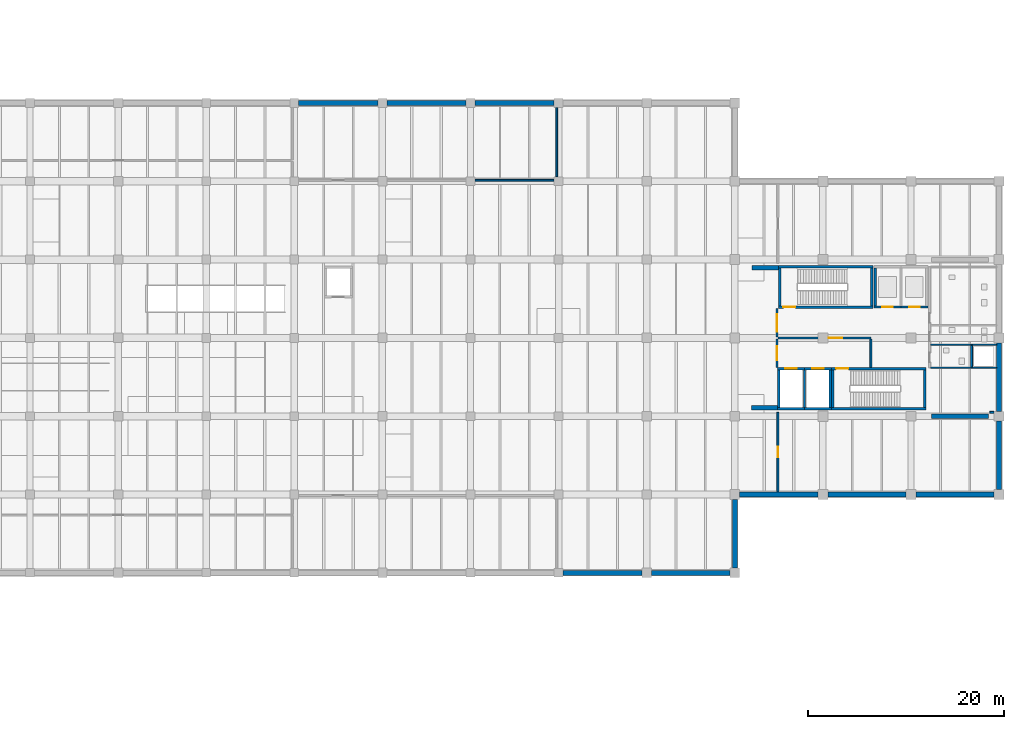
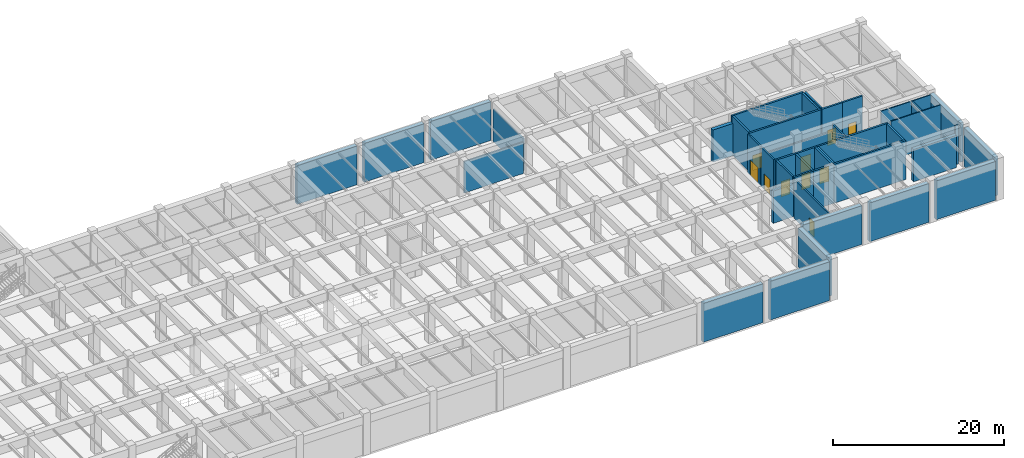
# One storey, part 11 of 20: 43 walls, 10 doors, 10 openings.
"""IFC4 building model written with IfcOpenShell, lengths in metres."""

from ifc_helpers import new_model, si_unit, derived_unit, direction, frame, frame_2d, origin, place, context, subcontext, project, spatial, rectangle, extrude, material, layer, layer_set, type_object, element, fill, save


model = new_model("IFC4")

# Units and contexts
model_context = context("Model", 3, precision=1e-05, world=origin(), true_north=direction((0.0, 1.0)))
body_context = subcontext(model_context, "Body", "Model", "MODEL_VIEW")
ifc_project = project(units=[si_unit("LENGTHUNIT", "METRE"), si_unit("AREAUNIT", "SQUARE_METRE"), si_unit("VOLUMEUNIT", "CUBIC_METRE"), si_unit("PLANEANGLEUNIT", "RADIAN"), si_unit("MASSUNIT", "GRAM", prefix="KILO"), derived_unit("THERMALTRANSMITTANCEUNIT", [(si_unit("MASSUNIT", "GRAM", prefix="KILO"), 1), (si_unit("TIMEUNIT", "SECOND"), -3), (si_unit("THERMODYNAMICTEMPERATUREUNIT", "KELVIN"), -1)])], contexts=[model_context])

# Site, building, storey
site_placement = place(None, origin())
site = spatial("IfcSite", under=ifc_project, at=site_placement, CompositionType="ELEMENT")
building_placement = place(site_placement, origin())
building = spatial("IfcBuilding", under=site, at=building_placement, Name="Zhenchuan Archway Interchange", CompositionType="ELEMENT")
storey_placement = place(building_placement, frame((0.0, 0.0, -6.0)))
storey = spatial("IfcBuildingStorey", under=building, at=storey_placement, Name="B1", CompositionType="ELEMENT", Elevation=-6.0)

# Walls
ifc_material_1 = material(Name="Concrete C40", Category="concrete")
ifc_layer_1 = layer(ifc_material_1, 0.5)
ifc_layer_set_1 = layer_set([ifc_layer_1], Name="Concrete C40")
wall_type_1 = type_object("IfcWallType", Name="EW_DIAPH_500", PredefinedType="STANDARD", material=ifc_layer_set_1)
for number, where, z_axis, x_axis, name in (
    (1, (99.447998046875, 80.0, 0.0), (0.0, 0.0, 1.0), (1.0, 0.0, 0.0), "Basement diaphragm wall B1-024"),
    (2, (108.472900390625, 80.0, 0.0), (0.0, 0.0, 1.0), (1.0, 0.0, 0.0), "Basement diaphragm wall B1-025"),
):
    element("IfcWall", number, at=place(storey_placement, frame(where, z_axis=z_axis, x_axis=x_axis)), inside=storey, type_object=wall_type_1, Name=name, PredefinedType="STANDARD", context=body_context, shape_type="SweptSolid", body=[
        extrude(rectangle(XDim=8.0791015625, YDim=0.5, at=frame_2d((4.03955078125, 0.0))), origin(), (0.0, 0.0, 1.0), 5.56005859375),
    ])
wall_1_placement = place(storey_placement, frame((117.447998046875, 80.0, 0.0), z_axis=(0.0, 0.0, 1.0), x_axis=(1.0, 0.0, 0.0)))
element("IfcWall", 3, at=wall_1_placement, inside=storey, type_object=wall_type_1, Name="Basement diaphragm wall B1-026", PredefinedType="STANDARD", context=body_context, shape_type="SweptSolid", body=[
    extrude(rectangle(XDim=8.10400390625, YDim=0.5, at=frame_2d((4.052001953125, 0.0))), origin(), (0.0, 0.0, 1.0), 5.56005859375),
])
for number, where, z_axis, x_axis, name in (
    (4, (171.0, 55.501953125, 0.0), (0.0, 0.0, 1.0), (0.0, -1.0, 0.0), "Basement diaphragm wall B1-035"),
    (5, (171.0, 47.501953125, 0.0), (0.0, 0.0, 1.0), (0.0, -1.0, 0.0), "Basement diaphragm wall B1-036"),
):
    element("IfcWall", number, at=place(storey_placement, frame(where, z_axis=z_axis, x_axis=x_axis)), inside=storey, type_object=wall_type_1, Name=name, PredefinedType="STANDARD", context=body_context, shape_type="SweptSolid", body=[
        extrude(rectangle(XDim=7.00390625, YDim=0.5, at=frame_2d((3.501953125, 0.0))), origin(), (0.0, 0.0, 1.0), 5.56005859375),
    ])
wall_2_placement = place(storey_placement, frame((170.501953125, 40.0, 0.0), z_axis=(0.0, 0.0, 1.0), x_axis=(-1.0, 0.0, 0.0)))
element("IfcWall", 6, at=wall_2_placement, inside=storey, type_object=wall_type_1, Name="Basement diaphragm wall B1-037", PredefinedType="STANDARD", context=body_context, shape_type="SweptSolid", body=[
    extrude(rectangle(XDim=8.00390625, YDim=0.5, at=frame_2d((4.001953125, 0.0))), origin(), (0.0, 0.0, 1.0), 5.56005859375),
])
for number, where, z_axis, x_axis, name in (
    (7, (161.501953125, 40.0, 0.0), (0.0, 0.0, 1.0), (-1.0, 0.0, 0.0), "Basement diaphragm wall B1-038"),
    (8, (152.47705078125, 40.0, 0.0), (0.0, 0.0, 1.0), (-1.0, 0.0, 0.0), "Basement diaphragm wall B1-039"),
):
    element("IfcWall", number, at=place(storey_placement, frame(where, z_axis=z_axis, x_axis=x_axis)), inside=storey, type_object=wall_type_1, Name=name, PredefinedType="STANDARD", context=body_context, shape_type="SweptSolid", body=[
        extrude(rectangle(XDim=7.97900390625, YDim=0.5, at=frame_2d((3.989501953125, 0.0))), origin(), (0.0, 0.0, 1.0), 5.56005859375),
    ])
wall_3_placement = place(storey_placement, frame((144.0, 39.501953125, 0.0), z_axis=(0.0, 0.0, 1.0), x_axis=(0.0, -1.0, 0.0)))
element("IfcWall", 9, at=wall_3_placement, inside=storey, type_object=wall_type_1, Name="Basement diaphragm wall B1-040", PredefinedType="STANDARD", context=body_context, shape_type="SweptSolid", body=[
    extrude(rectangle(XDim=7.00390625, YDim=0.5, at=frame_2d((3.501953125, 0.0))), origin(), (0.0, 0.0, 1.0), 5.56005859375),
])
wall_4_placement = place(storey_placement, frame((143.501953125, 32.0, 0.0), z_axis=(0.0, 0.0, 1.0), x_axis=(-1.0, 0.0, 0.0)))
element("IfcWall", 10, at=wall_4_placement, inside=storey, type_object=wall_type_1, Name="Basement diaphragm wall B1-041", PredefinedType="STANDARD", context=body_context, shape_type="SweptSolid", body=[
    extrude(rectangle(XDim=8.029052734375, YDim=0.5, at=frame_2d((4.0146484375, 0.0))), origin(), (0.0, 0.0, 1.0), 5.56005859375),
])
wall_5_placement = place(storey_placement, frame((134.527099609375, 32.0, 0.0), z_axis=(0.0, 0.0, 1.0), x_axis=(-1.0, 0.0, 0.0)))
element("IfcWall", 11, at=wall_5_placement, inside=storey, type_object=wall_type_1, Name="Basement diaphragm wall B1-042", PredefinedType="STANDARD", context=body_context, shape_type="SweptSolid", body=[
    extrude(rectangle(XDim=8.0791015625, YDim=0.5, at=frame_2d((4.03955078125, 0.0))), origin(), (0.0, 0.0, 1.0), 5.56005859375),
])
ifc_material_2 = material(Name="Concrete C50", Category="concrete")
ifc_layer_2 = layer(ifc_material_2, 0.449951171875)
ifc_layer_set_2 = layer_set([ifc_layer_2], Name="Concrete C50")
wall_type_2 = type_object("IfcWallType", Name="WL_CORE_450", PredefinedType="SHEAR", material=ifc_layer_set_2)
wall_6_placement = place(storey_placement, frame((145.679931640625, 48.85498046875, 0.0), z_axis=(0.0, 0.0, 1.0), x_axis=(1.0, 0.0, 0.0)))
element("IfcWall", 12, at=wall_6_placement, inside=storey, type_object=wall_type_2, Name="Operations lateral shear wall W-S (B1)", PredefinedType="SHEAR", context=body_context, shape_type="SweptSolid", body=[
    extrude(rectangle(XDim=2.699951171875, YDim=0.449951171875, at=frame_2d((1.35009765625, 0.0))), origin(), (0.0, 0.0, 1.0), 4.60009765625),
])
wall_7_placement = place(storey_placement, frame((145.77490234375, 63.14990234375, 0.0), z_axis=(0.0, 0.0, 1.0), x_axis=(1.0, 0.0, 0.0)))
element("IfcWall", 13, at=wall_7_placement, inside=storey, type_object=wall_type_2, Name="Operations lateral shear wall W-N (B1)", PredefinedType="SHEAR", context=body_context, shape_type="SweptSolid", body=[
    extrude(rectangle(XDim=2.7001953125, YDim=0.449951171875, at=frame_2d((1.35009765625, 0.0))), origin(), (0.0, 0.0, 1.0), 4.60009765625),
])
wall_8_placement = place(storey_placement, frame((164.10009765625, 48.0, 0.0), z_axis=(0.0, 0.0, 1.0), x_axis=(1.0, 0.0, 0.0)))
element("IfcWall", 14, at=wall_8_placement, inside=storey, type_object=wall_type_2, Name="Operations lateral shear wall E-S (B1)", PredefinedType="SHEAR", context=body_context, shape_type="SweptSolid", body=[
    extrude(rectangle(XDim=5.7998046875, YDim=0.449951171875, at=frame_2d((2.89990234375, 0.0))), origin(), (0.0, 0.0, 1.0), 4.60009765625),
])

# Wall, opening, door
ifc_material_3 = material(Name="Autoclaved Aerated Concrete Block", Category="concrete")
ifc_layer_3 = layer(ifc_material_3, 0.199951171875)
ifc_layer_set_3 = layer_set([ifc_layer_3], Name="Autoclaved Aerated Concrete Block")
wall_type_3 = type_object("IfcWallType", Name="WL_FIRE_200", PredefinedType="STANDARD", material=ifc_layer_set_3)
wall_9_placement = place(storey_placement, frame((148.39990234375, 55.97998046875, 0.0), z_axis=(0.0, 0.0, 1.0), x_axis=(1.0, 0.0, 0.0)))
wall_9 = element("IfcWall", 15, at=wall_9_placement, inside=storey, type_object=wall_type_3, Name="Firefighting lift lobby smoke divider (B1)", PredefinedType="STANDARD", context=body_context, shape_type="SweptSolid", body=[
    extrude(rectangle(XDim=9.5, YDim=0.199951171875, at=frame_2d((4.75, 0.0))), origin(), (0.0, 0.0, 1.0), 4.47998046875),
])
opening_1_placement = place(wall_9_placement, frame((5.199951171875, 0.0, 0.0)))
opening_1 = element("IfcOpeningElement", 16, at=opening_1_placement, cuts=wall_9, Name="Opening FD-04", PredefinedType="OPENING", context=body_context, shape_type="SweptSolid", body=[
    extrude(rectangle(XDim=1.39990234375, YDim=2.199951171875, at=frame_2d((0.699951171875, 1.10009765625))), frame((0.0, 0.11181640625, 0.0), z_axis=(0.0, -1.0, 0.0), x_axis=(1.0, 0.0, 0.0)), (0.0, 0.0, 1.0), 0.223876953125),
])
ifc_material_4 = material(Name="Painted Galvanised Steel", Category="steel")
door_type_1 = type_object("IfcDoorType", Name="DR_LOB_FD60", OperationType="DOUBLE_DOOR_SINGLE_SWING", PredefinedType="DOOR", material=ifc_material_4)
door_1_placement = place(opening_1_placement, origin())
door_1 = element("IfcDoor", 17, at=door_1_placement, inside=storey, type_object=door_type_1, Name="Firefighting to passenger lobby smoke door (B1)", OperationType="DOUBLE_DOOR_SINGLE_SWING", OverallHeight=2.199951171875, OverallWidth=1.39990234375, PredefinedType="DOOR", context=body_context, shape_type="SweptSolid", body=[
    extrude(rectangle(XDim=1.39990234375, YDim=2.199951171875, at=frame_2d((0.699951171875, 1.10009765625))), frame((0.0, 0.02490234375, 0.0), z_axis=(0.0, -1.0, 0.0), x_axis=(1.0, 0.0, 0.0)), (0.0, 0.0, 1.0), 0.050048828125),
])
fill(opening_1, door_1)

# Wall
wall_10_placement = place(storey_placement, frame((157.89990234375, 52.989990234375, 0.0), z_axis=(0.0, 0.0, 1.0), x_axis=(0.0, 1.0, 0.0)))
element("IfcWall", 18, at=wall_10_placement, inside=storey, type_object=wall_type_3, Name="Firefighting lift lobby east fire wall (B1)", PredefinedType="STANDARD", context=body_context, shape_type="SweptSolid", body=[
    extrude(rectangle(XDim=2.880126953125, YDim=0.199951171875, at=frame_2d((1.43994140625, 0.0))), origin(), (0.0, 0.0, 1.0), 5.550048828125),
])

# Wall, opening, door
wall_11_placement = place(storey_placement, frame((148.300048828125, 52.989990234375, 0.0), z_axis=(0.0, 0.0, 1.0), x_axis=(0.0, 1.0, 0.0)))
wall_11 = element("IfcWall", 19, at=wall_11_placement, inside=storey, type_object=wall_type_3, Name="Firefighting lift lobby west fire wall (B1)", PredefinedType="STANDARD", context=body_context, shape_type="SweptSolid", body=[
    extrude(rectangle(XDim=2.880126953125, YDim=0.199951171875, at=frame_2d((1.43994140625, 0.0))), origin(), (0.0, 0.0, 1.0), 5.550048828125),
])
opening_2_placement = place(wall_11_placement, frame((0.75, 0.0, 0.0)))
opening_2 = element("IfcOpeningElement", 20, at=opening_2_placement, cuts=wall_11, Name="Opening FD-04", PredefinedType="OPENING", context=body_context, shape_type="SweptSolid", body=[
    extrude(rectangle(XDim=1.39990234375, YDim=2.199951171875, at=frame_2d((0.699951171875, 1.10009765625))), frame((0.0, 0.11181640625, 0.0), z_axis=(0.0, -1.0, 0.0), x_axis=(1.0, 0.0, 0.0)), (0.0, 0.0, 1.0), 0.223876953125),
])
door_2_placement = place(opening_2_placement, origin())
door_2 = element("IfcDoor", 21, at=door_2_placement, inside=storey, type_object=door_type_1, Name="Firefighting lift lobby corridor fire door (B1)", OperationType="DOUBLE_DOOR_SINGLE_SWING", OverallHeight=2.199951171875, OverallWidth=1.39990234375, PredefinedType="DOOR", context=body_context, shape_type="SweptSolid", body=[
    extrude(rectangle(XDim=1.39990234375, YDim=2.199951171875, at=frame_2d((0.699951171875, 1.10009765625))), frame((0.0, 0.02490234375, 0.0), z_axis=(0.0, -1.0, 0.0), x_axis=(1.0, 0.0, 0.0)), (0.0, 0.0, 1.0), 0.050048828125),
])
fill(opening_2, door_2)

wall_12_placement = place(storey_placement, frame((148.300048828125, 56.090087890625, 0.0), z_axis=(0.0, 0.0, 1.0), x_axis=(0.0, 1.0, 0.0)))
wall_12 = element("IfcWall", 22, at=wall_12_placement, inside=storey, type_object=wall_type_3, Name="Passenger lift lobby west fire wall (B1)", PredefinedType="STANDARD", context=body_context, shape_type="SweptSolid", body=[
    extrude(rectangle(XDim=2.919921875, YDim=0.199951171875, at=frame_2d((1.4599609375, 0.0))), origin(), (0.0, 0.0, 1.0), 5.550048828125),
])
opening_3_placement = place(wall_12_placement, frame((0.550048828125, 0.0, 0.0)))
opening_3 = element("IfcOpeningElement", 23, at=opening_3_placement, cuts=wall_12, Name="Opening ID-01", PredefinedType="OPENING", context=body_context, shape_type="SweptSolid", body=[
    extrude(rectangle(XDim=1.800048828125, YDim=2.199951171875, at=frame_2d((0.89990234375, 1.10009765625))), frame((0.0, 0.11181640625, 0.0), z_axis=(0.0, -1.0, 0.0), x_axis=(1.0, 0.0, 0.0)), (0.0, 0.0, 1.0), 0.223876953125),
])
ifc_material_5 = material(Name="Anodised Aluminium", Category="aluminium")
door_type_2 = type_object("IfcDoorType", Name="DR_LOBBY_DBL", OperationType="DOUBLE_DOOR_SINGLE_SWING", PredefinedType="DOOR", material=ifc_material_5)
door_3_placement = place(opening_3_placement, origin())
door_3 = element("IfcDoor", 24, at=door_3_placement, inside=storey, type_object=door_type_2, Name="Passenger lift lobby entrance door (B1)", OperationType="DOUBLE_DOOR_SINGLE_SWING", OverallHeight=2.199951171875, OverallWidth=1.800048828125, PredefinedType="DOOR", context=body_context, shape_type="SweptSolid", body=[
    extrude(rectangle(XDim=1.800048828125, YDim=2.199951171875, at=frame_2d((0.89990234375, 1.10009765625))), frame((0.0, 0.02490234375, 0.0), z_axis=(0.0, -1.0, 0.0), x_axis=(1.0, 0.0, 0.0)), (0.0, 0.0, 1.0), 0.050048828125),
])
fill(opening_3, door_3)

# Walls
wall_13_placement = place(storey_placement, frame((168.199951171875, 53.02001953125, 0.0), z_axis=(0.0, 0.0, 1.0), x_axis=(0.0, 1.0, 0.0)))
element("IfcWall", 25, at=wall_13_placement, inside=storey, type_object=wall_type_3, Name="MEP riser west fire wall (B1)", PredefinedType="STANDARD", context=body_context, shape_type="SweptSolid", body=[
    extrude(rectangle(XDim=2.2099609375, YDim=0.199951171875, at=frame_2d((1.10498046875, 0.0))), origin(), (0.0, 0.0, 1.0), 5.550048828125),
])
wall_14_placement = place(storey_placement, frame((170.050048828125, 48.39990234375, 0.0), z_axis=(0.0, 0.0, 1.0), x_axis=(1.0, 0.0, 0.0)))
element("IfcWall", 26, at=wall_14_placement, inside=storey, type_object=wall_type_3, Name="Uninterruptible Power Battery Room N partition (B1)", PredefinedType="STANDARD", context=body_context, shape_type="SweptSolid", body=[
    extrude(rectangle(XDim=0.425048828125, YDim=0.199951171875, at=frame_2d((0.21240234375, 0.0))), origin(), (0.0, 0.0, 1.0), 5.550048828125),
])

# Wall, opening, door
wall_15_placement = place(storey_placement, frame((148.39990234375, 40.260009765625, 0.0), z_axis=(0.0, 0.0, 1.0), x_axis=(0.0, 1.0, 0.0)))
wall_15 = element("IfcWall", 27, at=wall_15_placement, inside=storey, type_object=wall_type_3, Name="Uninterruptible Power Battery Room W partition (B1)", PredefinedType="STANDARD", context=body_context, shape_type="SweptSolid", body=[
    extrude(rectangle(XDim=8.139892578125, YDim=0.199951171875, at=frame_2d((4.06982421875, 0.0))), origin(), (0.0, 0.0, 1.0), 5.550048828125),
])
opening_4_placement = place(wall_15_placement, frame((3.544921875, 0.0, 0.0)))
opening_4 = element("IfcOpeningElement", 28, at=opening_4_placement, cuts=wall_15, Name="Opening FD-03", PredefinedType="OPENING", context=body_context, shape_type="SweptSolid", body=[
    extrude(rectangle(XDim=1.050048828125, YDim=2.14990234375, at=frame_2d((0.52490234375, 1.074951171875))), frame((0.0, 0.11181640625, 0.0), z_axis=(0.0, -1.0, 0.0), x_axis=(1.0, 0.0, 0.0)), (0.0, 0.0, 1.0), 0.223876953125),
])
door_type_3 = type_object("IfcDoorType", Name="DR_PLANT_FD60_S", OperationType="NOTDEFINED", PredefinedType="DOOR", material=ifc_material_4)
door_4_placement = place(opening_4_placement, origin())
door_4 = element("IfcDoor", 29, at=door_4_placement, inside=storey, type_object=door_type_3, Name="Uninterruptible Power Battery Room door (B1)", OperationType="SINGLE_SWING_RIGHT", OverallHeight=2.14990234375, OverallWidth=1.050048828125, PredefinedType="DOOR", context=body_context, shape_type="SweptSolid", body=[
    extrude(rectangle(XDim=1.050048828125, YDim=2.14990234375, at=frame_2d((0.52490234375, 1.074951171875))), frame((0.0, 0.02490234375, 0.0), z_axis=(0.0, -1.0, 0.0), x_axis=(1.0, 0.0, 0.0)), (0.0, 0.0, 1.0), 0.050048828125),
])
fill(opening_4, door_4)

ifc_layer_4 = layer(ifc_material_1, 0.239990234375)
ifc_layer_set_4 = layer_set([ifc_layer_4], Name="Concrete C40")
wall_type_4 = type_object("IfcWallType", Name="WL_LIFT_240", PredefinedType="SHEAR", material=ifc_layer_set_4)
wall_16_placement = place(storey_placement, frame((158.22998046875, 59.14990234375, 0.0), z_axis=(0.0, 0.0, 1.0), x_axis=(1.0, 0.0, 0.0)))
wall_16 = element("IfcWall", 30, at=wall_16_placement, inside=storey, type_object=wall_type_4, Name="Lift LF-06 south shaft wall (B1)", PredefinedType="SHEAR", context=body_context, shape_type="SweptSolid", body=[
    extrude(rectangle(XDim=2.7451171875, YDim=0.239990234375, at=frame_2d((1.37255859375, 0.0))), origin(), (0.0, 0.0, 1.0), 5.550048828125),
])
opening_5_placement = place(wall_16_placement, frame((0.820068359375, 0.0, 0.0)))
opening_5 = element("IfcOpeningElement", 31, at=opening_5_placement, cuts=wall_16, Name="Opening LD-01", PredefinedType="OPENING", context=body_context, shape_type="SweptSolid", body=[
    extrude(rectangle(XDim=1.10009765625, YDim=2.199951171875, at=frame_2d((0.550048828125, 1.10009765625))), frame((0.0, 0.1318359375, 0.0), z_axis=(0.0, -1.0, 0.0), x_axis=(1.0, 0.0, 0.0)), (0.0, 0.0, 1.0), 0.263916015625),
])
ifc_material_6 = material(Name="Stainless Steel 304", Category="steel")
door_type_4 = type_object("IfcDoorType", Name="DR_LIFT_LD110", OperationType="DOUBLE_DOOR_SLIDING", PredefinedType="DOOR", material=ifc_material_6)
door_5_placement = place(opening_5_placement, origin())
door_5 = element("IfcDoor", 32, at=door_5_placement, inside=storey, type_object=door_type_4, Name="Lift LF-06 landing door (B1)", OperationType="DOUBLE_DOOR_SLIDING", OverallHeight=2.199951171875, OverallWidth=1.10009765625, PredefinedType="DOOR", context=body_context, shape_type="SweptSolid", body=[
    extrude(rectangle(XDim=1.10009765625, YDim=2.199951171875, at=frame_2d((0.550048828125, 1.10009765625))), frame((0.0, 0.02490234375, 0.0), z_axis=(0.0, -1.0, 0.0), x_axis=(1.0, 0.0, 0.0)), (0.0, 0.0, 1.0), 0.050048828125),
])
fill(opening_5, door_5)

# Wall
wall_17_placement = place(storey_placement, frame((158.35009765625, 63.1298828125, 0.0), z_axis=(0.0, 0.0, 1.0), x_axis=(0.0, -1.0, 0.0)))
element("IfcWall", 33, at=wall_17_placement, inside=storey, type_object=wall_type_4, Name="Lift LF-06 west shaft wall (B1)", PredefinedType="SHEAR", context=body_context, shape_type="SweptSolid", body=[
    extrude(rectangle(XDim=3.85986328125, YDim=0.239990234375, at=frame_2d((1.929931640625, 0.0))), origin(), (0.0, 0.0, 1.0), 5.550048828125),
])

# Wall, opening, door
wall_18_placement = place(storey_placement, frame((160.97509765625, 59.14990234375, 0.0), z_axis=(0.0, 0.0, 1.0), x_axis=(1.0, 0.0, 0.0)))
wall_18 = element("IfcWall", 34, at=wall_18_placement, inside=storey, type_object=wall_type_4, Name="Lift LF-07 south shaft wall (B1)", PredefinedType="SHEAR", context=body_context, shape_type="SweptSolid", body=[
    extrude(rectangle(XDim=2.744873046875, YDim=0.239990234375, at=frame_2d((1.37255859375, 0.0))), origin(), (0.0, 0.0, 1.0), 5.550048828125),
])
opening_6_placement = place(wall_18_placement, frame((0.824951171875, 0.0, 0.0)))
opening_6 = element("IfcOpeningElement", 35, at=opening_6_placement, cuts=wall_18, Name="Opening LD-01", PredefinedType="OPENING", context=body_context, shape_type="SweptSolid", body=[
    extrude(rectangle(XDim=1.10009765625, YDim=2.199951171875, at=frame_2d((0.550048828125, 1.10009765625))), frame((0.0, 0.1318359375, 0.0), z_axis=(0.0, -1.0, 0.0), x_axis=(1.0, 0.0, 0.0)), (0.0, 0.0, 1.0), 0.263916015625),
])
door_6_placement = place(opening_6_placement, origin())
door_6 = element("IfcDoor", 36, at=door_6_placement, inside=storey, type_object=door_type_4, Name="Lift LF-07 landing door (B1)", OperationType="DOUBLE_DOOR_SLIDING", OverallHeight=2.199951171875, OverallWidth=1.10009765625, PredefinedType="DOOR", context=body_context, shape_type="SweptSolid", body=[
    extrude(rectangle(XDim=1.10009765625, YDim=2.199951171875, at=frame_2d((0.550048828125, 1.10009765625))), frame((0.0, 0.02490234375, 0.0), z_axis=(0.0, -1.0, 0.0), x_axis=(1.0, 0.0, 0.0)), (0.0, 0.0, 1.0), 0.050048828125),
])
fill(opening_6, door_6)

# Wall
wall_19_placement = place(storey_placement, frame((148.3798828125, 48.75, 0.0), z_axis=(0.0, 0.0, 1.0), x_axis=(1.0, 0.0, 0.0)))
element("IfcWall", 37, at=wall_19_placement, inside=storey, type_object=wall_type_4, Name="Lift LF-08 south shaft wall (B1)", PredefinedType="SHEAR", context=body_context, shape_type="SweptSolid", body=[
    extrude(rectangle(XDim=2.740234375, YDim=0.239990234375, at=frame_2d((1.3701171875, 0.0))), origin(), (0.0, 0.0, 1.0), 5.550048828125),
])

# Wall, opening, door
wall_20_placement = place(storey_placement, frame((151.1201171875, 52.85009765625, 0.0), z_axis=(0.0, 0.0, 1.0), x_axis=(-1.0, 0.0, 0.0)))
wall_20 = element("IfcWall", 38, at=wall_20_placement, inside=storey, type_object=wall_type_4, Name="Lift LF-08 north shaft wall (B1)", PredefinedType="SHEAR", context=body_context, shape_type="SweptSolid", body=[
    extrude(rectangle(XDim=2.740234375, YDim=0.239990234375, at=frame_2d((1.3701171875, 0.0))), origin(), (0.0, 0.0, 1.0), 5.550048828125),
])
opening_7_placement = place(wall_20_placement, frame((0.77001953125, 0.0, 0.0)))
opening_7 = element("IfcOpeningElement", 39, at=opening_7_placement, cuts=wall_20, Name="Opening LD-02", PredefinedType="OPENING", context=body_context, shape_type="SweptSolid", body=[
    extrude(rectangle(XDim=1.199951171875, YDim=2.199951171875, at=frame_2d((0.60009765625, 1.10009765625))), frame((0.0, 0.1318359375, 0.0), z_axis=(0.0, -1.0, 0.0), x_axis=(1.0, 0.0, 0.0)), (0.0, 0.0, 1.0), 0.263916015625),
])
door_type_5 = type_object("IfcDoorType", Name="DR_LIFT_LD120", OperationType="DOUBLE_DOOR_SLIDING", PredefinedType="DOOR", material=ifc_material_6)
door_7_placement = place(opening_7_placement, origin())
door_7 = element("IfcDoor", 40, at=door_7_placement, inside=storey, type_object=door_type_5, Name="Lift LF-08 landing door (B1)", OperationType="DOUBLE_DOOR_SLIDING", OverallHeight=2.199951171875, OverallWidth=1.199951171875, PredefinedType="DOOR", context=body_context, shape_type="SweptSolid", body=[
    extrude(rectangle(XDim=1.199951171875, YDim=2.199951171875, at=frame_2d((0.60009765625, 1.10009765625))), frame((0.0, 0.02490234375, 0.0), z_axis=(0.0, -1.0, 0.0), x_axis=(1.0, 0.0, 0.0)), (0.0, 0.0, 1.0), 0.050048828125),
])
fill(opening_7, door_7)

# Walls
for number, where, z_axis, x_axis, name in (
    (41, (148.5, 52.72998046875, 0.0), (0.0, 0.0, 1.0), (0.0, -1.0, 0.0), "Lift LF-08 west shaft wall (B1)"),
    (42, (151.1201171875, 48.8701171875, 0.0), (0.0, 0.0, 1.0), (0.0, 1.0, 0.0), "Lift LF-08 east shaft wall (B1)"),
):
    element("IfcWall", number, at=place(storey_placement, frame(where, z_axis=z_axis, x_axis=x_axis)), inside=storey, type_object=wall_type_4, Name=name, PredefinedType="SHEAR", context=body_context, shape_type="SweptSolid", body=[
        extrude(rectangle(XDim=3.85986328125, YDim=0.239990234375, at=frame_2d((1.929931640625, 0.0))), origin(), (0.0, 0.0, 1.0), 5.550048828125),
    ])
wall_21_placement = place(storey_placement, frame((151.1201171875, 48.75, 0.0), z_axis=(0.0, 0.0, 1.0), x_axis=(1.0, 0.0, 0.0)))
element("IfcWall", 43, at=wall_21_placement, inside=storey, type_object=wall_type_4, Name="Lift LF-09 south shaft wall (B1)", PredefinedType="SHEAR", context=body_context, shape_type="SweptSolid", body=[
    extrude(rectangle(XDim=2.739990234375, YDim=0.239990234375, at=frame_2d((1.3701171875, 0.0))), origin(), (0.0, 0.0, 1.0), 5.550048828125),
])

# Wall, opening, door
wall_22_placement = place(storey_placement, frame((153.860107421875, 52.85009765625, 0.0), z_axis=(0.0, 0.0, 1.0), x_axis=(-1.0, 0.0, 0.0)))
wall_22 = element("IfcWall", 44, at=wall_22_placement, inside=storey, type_object=wall_type_4, Name="Lift LF-09 north shaft wall (B1)", PredefinedType="SHEAR", context=body_context, shape_type="SweptSolid", body=[
    extrude(rectangle(XDim=2.739990234375, YDim=0.239990234375, at=frame_2d((1.3701171875, 0.0))), origin(), (0.0, 0.0, 1.0), 5.550048828125),
])
opening_8_placement = place(wall_22_placement, frame((0.77001953125, 0.0, 0.0)))
opening_8 = element("IfcOpeningElement", 45, at=opening_8_placement, cuts=wall_22, Name="Opening LD-02", PredefinedType="OPENING", context=body_context, shape_type="SweptSolid", body=[
    extrude(rectangle(XDim=1.199951171875, YDim=2.199951171875, at=frame_2d((0.60009765625, 1.10009765625))), frame((0.0, 0.1318359375, 0.0), z_axis=(0.0, -1.0, 0.0), x_axis=(1.0, 0.0, 0.0)), (0.0, 0.0, 1.0), 0.263916015625),
])
door_8_placement = place(opening_8_placement, origin())
door_8 = element("IfcDoor", 46, at=door_8_placement, inside=storey, type_object=door_type_5, Name="Lift LF-09 landing door (B1)", OperationType="DOUBLE_DOOR_SLIDING", OverallHeight=2.199951171875, OverallWidth=1.199951171875, PredefinedType="DOOR", context=body_context, shape_type="SweptSolid", body=[
    extrude(rectangle(XDim=1.199951171875, YDim=2.199951171875, at=frame_2d((0.60009765625, 1.10009765625))), frame((0.0, 0.02490234375, 0.0), z_axis=(0.0, -1.0, 0.0), x_axis=(1.0, 0.0, 0.0)), (0.0, 0.0, 1.0), 0.050048828125),
])
fill(opening_8, door_8)

# Walls
wall_23_placement = place(storey_placement, frame((153.739990234375, 48.8701171875, 0.0), z_axis=(0.0, 0.0, 1.0), x_axis=(0.0, 1.0, 0.0)))
element("IfcWall", 47, at=wall_23_placement, inside=storey, type_object=wall_type_4, Name="Lift LF-09 east shaft wall (B1)", PredefinedType="SHEAR", context=body_context, shape_type="SweptSolid", body=[
    extrude(rectangle(XDim=3.85986328125, YDim=0.239990234375, at=frame_2d((1.929931640625, 0.0))), origin(), (0.0, 0.0, 1.0), 5.550048828125),
])
ifc_material_7 = material(Name="Concrete Block Masonry", Category="masonry")
ifc_layer_5 = layer(ifc_material_7, 0.179931640625)
ifc_layer_set_5 = layer_set([ifc_layer_5], Name="Concrete Block Masonry")
wall_type_5 = type_object("IfcWallType", Name="WL_PART_180", PredefinedType="STANDARD", material=ifc_layer_set_5)
wall_24_placement = place(storey_placement, frame((117.47509765625, 72.10009765625, 0.0), z_axis=(0.0, 0.0, 1.0), x_axis=(1.0, 0.0, 0.0)))
element("IfcWall", 48, at=wall_24_placement, inside=storey, type_object=wall_type_5, Name="Metro Fiber and Radio Communications Room S partition (B1)", PredefinedType="STANDARD", context=body_context, shape_type="SweptSolid", body=[
    extrude(rectangle(XDim=8.0498046875, YDim=0.179931640625, at=frame_2d((4.02490234375, 0.0))), origin(), (0.0, 0.0, 1.0), 4.47998046875),
])
wall_25_placement = place(storey_placement, frame((125.800048828125, 72.47509765625, 0.0), z_axis=(0.0, 0.0, 1.0), x_axis=(0.0, 1.0, 0.0)))
element("IfcWall", 49, at=wall_25_placement, inside=storey, type_object=wall_type_5, Name="Metro Fiber and Radio Communications Room E partition (B1)", PredefinedType="STANDARD", context=body_context, shape_type="SweptSolid", body=[
    extrude(rectangle(XDim=7.0498046875, YDim=0.179931640625, at=frame_2d((3.52490234375, 0.0))), origin(), (0.0, 0.0, 1.0), 4.580078125),
])

# Wall, opening, door
ifc_layer_6 = layer(ifc_material_1, 0.25)
ifc_layer_set_6 = layer_set([ifc_layer_6], Name="Concrete C40")
wall_type_6 = type_object("IfcWallType", Name="WL_STAIR_250", PredefinedType="SHEAR", material=ifc_layer_set_6)
wall_26_placement = place(storey_placement, frame((148.47509765625, 59.14990234375, 0.0), z_axis=(0.0, 0.0, 1.0), x_axis=(1.0, 0.0, 0.0)))
wall_26 = element("IfcWall", 50, at=wall_26_placement, inside=storey, type_object=wall_type_6, Name="Stair ST-O1 south wall (B1)", PredefinedType="SHEAR", context=body_context, shape_type="SweptSolid", body=[
    extrude(rectangle(XDim=9.64990234375, YDim=0.25, at=frame_2d((4.824951171875, 0.0))), origin(), (0.0, 0.0, 1.0), 5.550048828125),
])
opening_9_placement = place(wall_26_placement, frame((0.47509765625, 0.0, 0.0)))
opening_9 = element("IfcOpeningElement", 51, at=opening_9_placement, cuts=wall_26, Name="Opening FD-01", PredefinedType="OPENING", context=body_context, shape_type="SweptSolid", body=[
    extrude(rectangle(XDim=1.25, YDim=2.14990234375, at=frame_2d((0.625, 1.074951171875))), frame((0.0, 0.136962890625, 0.0), z_axis=(0.0, -1.0, 0.0), x_axis=(1.0, 0.0, 0.0)), (0.0, 0.0, 1.0), 0.27392578125),
])
door_type_6 = type_object("IfcDoorType", Name="DR_STAIR_FD90", OperationType="NOTDEFINED", PredefinedType="DOOR", material=ifc_material_4)
door_9_placement = place(opening_9_placement, origin())
door_9 = element("IfcDoor", 52, at=door_9_placement, inside=storey, type_object=door_type_6, Name="Stair ST-O1 fire door (B1)", OperationType="SINGLE_SWING_RIGHT", OverallHeight=2.14990234375, OverallWidth=1.25, PredefinedType="DOOR", context=body_context, shape_type="SweptSolid", body=[
    extrude(rectangle(XDim=1.25, YDim=2.14990234375, at=frame_2d((0.625, 1.074951171875))), frame((0.0, 0.02490234375, 0.0), z_axis=(0.0, -1.0, 0.0), x_axis=(1.0, 0.0, 0.0)), (0.0, 0.0, 1.0), 0.050048828125),
])
fill(opening_9, door_9)

# Walls
wall_27_placement = place(storey_placement, frame((158.125, 63.25, 0.0), z_axis=(0.0, 0.0, 1.0), x_axis=(-1.0, 0.0, 0.0)))
element("IfcWall", 53, at=wall_27_placement, inside=storey, type_object=wall_type_6, Name="Stair ST-O1 north wall (B1)", PredefinedType="SHEAR", context=body_context, shape_type="SweptSolid", body=[
    extrude(rectangle(XDim=9.64990234375, YDim=0.25, at=frame_2d((4.824951171875, 0.0))), origin(), (0.0, 0.0, 1.0), 5.550048828125),
])
for number, where, z_axis, x_axis, name in (
    (54, (148.60009765625, 63.125, 0.0), (0.0, 0.0, 1.0), (0.0, -1.0, 0.0), "Stair ST-O1 west wall (B1)"),
    (55, (158.0, 59.27490234375, 0.0), (0.0, 0.0, 1.0), (0.0, 1.0, 0.0), "Stair ST-O1 east wall (B1)"),
):
    element("IfcWall", number, at=place(storey_placement, frame(where, z_axis=z_axis, x_axis=x_axis)), inside=storey, type_object=wall_type_6, Name=name, PredefinedType="SHEAR", context=body_context, shape_type="SweptSolid", body=[
        extrude(rectangle(XDim=3.85009765625, YDim=0.25, at=frame_2d((1.925048828125, 0.0))), origin(), (0.0, 0.0, 1.0), 5.550048828125),
    ])
wall_28_placement = place(storey_placement, frame((153.875, 48.75, 0.0), z_axis=(0.0, 0.0, 1.0), x_axis=(1.0, 0.0, 0.0)))
element("IfcWall", 56, at=wall_28_placement, inside=storey, type_object=wall_type_6, Name="Stair ST-O2 south wall (B1)", PredefinedType="SHEAR", context=body_context, shape_type="SweptSolid", body=[
    extrude(rectangle(XDim=9.64990234375, YDim=0.25, at=frame_2d((4.824951171875, 0.0))), origin(), (0.0, 0.0, 1.0), 5.550048828125),
])

# Wall, opening, door
wall_29_placement = place(storey_placement, frame((163.52490234375, 52.85009765625, 0.0), z_axis=(0.0, 0.0, 1.0), x_axis=(-1.0, 0.0, 0.0)))
wall_29 = element("IfcWall", 57, at=wall_29_placement, inside=storey, type_object=wall_type_6, Name="Stair ST-O2 north wall (B1)", PredefinedType="SHEAR", context=body_context, shape_type="SweptSolid", body=[
    extrude(rectangle(XDim=9.64990234375, YDim=0.25, at=frame_2d((4.824951171875, 0.0))), origin(), (0.0, 0.0, 1.0), 5.550048828125),
])
opening_10_placement = place(wall_29_placement, frame((7.925048828125, 0.0, 0.0)))
opening_10 = element("IfcOpeningElement", 58, at=opening_10_placement, cuts=wall_29, Name="Opening FD-01", PredefinedType="OPENING", context=body_context, shape_type="SweptSolid", body=[
    extrude(rectangle(XDim=1.25, YDim=2.14990234375, at=frame_2d((0.625, 1.074951171875))), frame((0.0, 0.136962890625, 0.0), z_axis=(0.0, -1.0, 0.0), x_axis=(1.0, 0.0, 0.0)), (0.0, 0.0, 1.0), 0.27392578125),
])
door_10_placement = place(opening_10_placement, origin())
door_10 = element("IfcDoor", 59, at=door_10_placement, inside=storey, type_object=door_type_6, Name="Stair ST-O2 fire door (B1)", OperationType="SINGLE_SWING_LEFT", OverallHeight=2.14990234375, OverallWidth=1.25, PredefinedType="DOOR", context=body_context, shape_type="SweptSolid", body=[
    extrude(rectangle(XDim=1.25, YDim=2.14990234375, at=frame_2d((0.625, 1.074951171875))), frame((0.0, 0.02490234375, 0.0), z_axis=(0.0, -1.0, 0.0), x_axis=(1.0, 0.0, 0.0)), (0.0, 0.0, 1.0), 0.050048828125),
])
fill(opening_10, door_10)

# Walls
for number, where, z_axis, x_axis, name in (
    (60, (154.0, 52.72509765625, 0.0), (0.0, 0.0, 1.0), (0.0, -1.0, 0.0), "Stair ST-O2 west wall (B1)"),
    (61, (163.39990234375, 48.875, 0.0), (0.0, 0.0, 1.0), (0.0, 1.0, 0.0), "Stair ST-O2 east wall (B1)"),
):
    element("IfcWall", number, at=place(storey_placement, frame(where, z_axis=z_axis, x_axis=x_axis)), inside=storey, type_object=wall_type_6, Name=name, PredefinedType="SHEAR", context=body_context, shape_type="SweptSolid", body=[
        extrude(rectangle(XDim=3.85009765625, YDim=0.25, at=frame_2d((1.925048828125, 0.0))), origin(), (0.0, 0.0, 1.0), 5.550048828125),
    ])
ifc_material_8 = material(Name="Gypsum Plasterboard", Category="gypsum")
ifc_layer_7 = layer(ifc_material_8, 0.1201171875)
ifc_layer_set_7 = layer_set([ifc_layer_7], Name="Gypsum Plasterboard")
wall_type_7 = type_object("IfcWallType", Name="WL_WC_120", PredefinedType="STANDARD", material=ifc_layer_set_7)
for number, where, z_axis, x_axis, name in (
    (62, (164.010009765625, 52.949951171875, 0.0), (0.0, 0.0, 1.0), (1.0, 0.0, 0.0), "Sanitary divider S (B1)"),
    (63, (164.010009765625, 55.300048828125, 0.0), (0.0, 0.0, 1.0), (1.0, 0.0, 0.0), "Sanitary divider AM (B1)"),
):
    element("IfcWall", number, at=place(storey_placement, frame(where, z_axis=z_axis, x_axis=x_axis)), inside=storey, type_object=wall_type_7, Name=name, PredefinedType="STANDARD", context=body_context, shape_type="SweptSolid", body=[
        extrude(rectangle(XDim=6.72509765625, YDim=0.1201171875, at=frame_2d((3.362548828125, 0.0))), origin(), (0.0, 0.0, 1.0), 5.550048828125),
    ])

save(model, "model.ifc")
